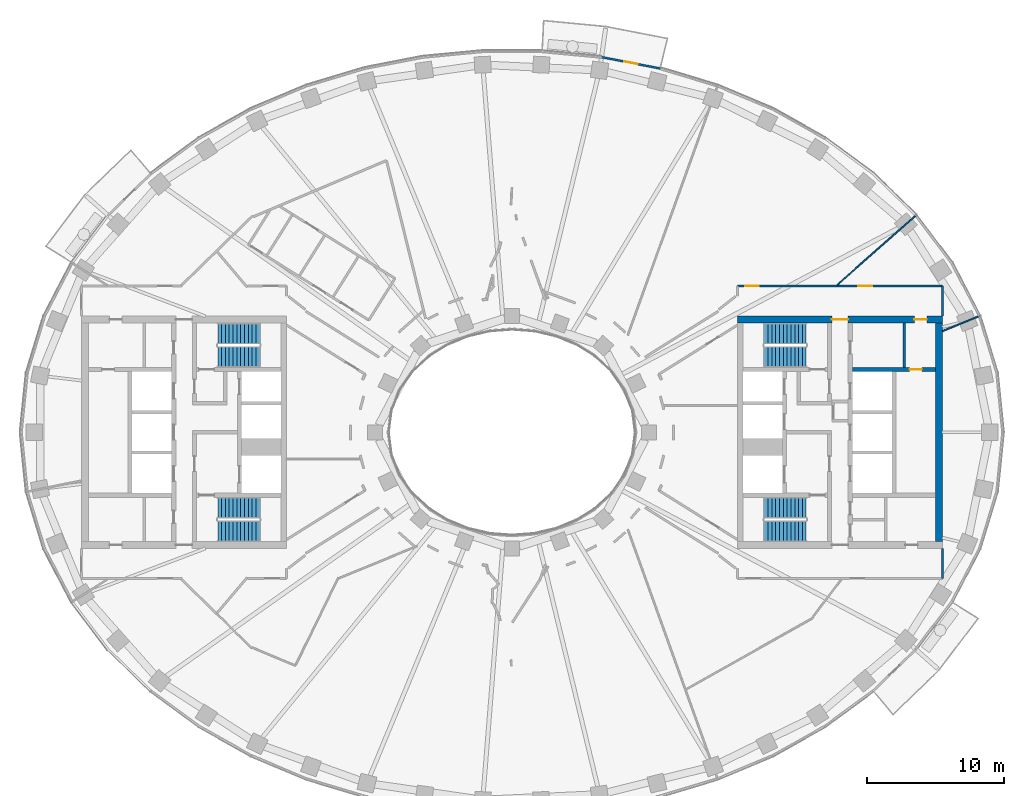
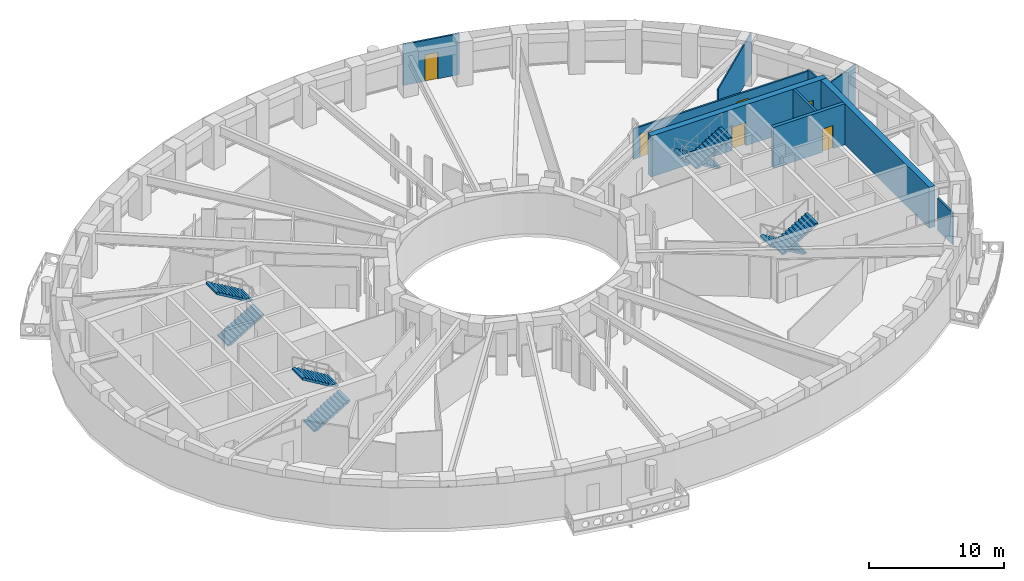
# One storey, part 7 of 16: 10 walls, 8 stair flights, 6 doors, 6 openings, 4 elements without a shape of their own.
"""IFC4 building model written with IfcOpenShell, lengths in metres."""

from ifc_helpers import new_model, si_unit, direction, frame, frame_2d, origin, place, context, subcontext, project, spatial, polyline, rectangle, outline, extrude, material, layer, layer_set, type_object, element, fill, aggregate, save


model = new_model("IFC4")

# Units and contexts
model_context = context("Model", 3, precision=1e-05, world=origin(), true_north=direction((0.0, 1.0)))
body_context = subcontext(model_context, "Body", "Model", "MODEL_VIEW")
ifc_project = project(units=[si_unit("LENGTHUNIT", "METRE"), si_unit("AREAUNIT", "SQUARE_METRE"), si_unit("VOLUMEUNIT", "CUBIC_METRE"), si_unit("PLANEANGLEUNIT", "RADIAN"), si_unit("MASSUNIT", "GRAM", prefix="KILO")], contexts=[model_context])

# Site, building, storey
site_placement = place(None, origin())
site = spatial("IfcSite", under=ifc_project, at=site_placement, CompositionType="ELEMENT")
building_placement = place(site_placement, origin())
building = spatial("IfcBuilding", under=site, at=building_placement, Name="Noorbagh Ring Tower", CompositionType="ELEMENT")
storey_placement = place(building_placement, frame((0.0, 0.0, 154.0)))
storey = spatial("IfcBuildingStorey", under=building, at=storey_placement, Name="L35", CompositionType="ELEMENT", Elevation=154.0)

# Wall
ifc_material_1 = material(Name="Gypsum board on steel studs", Category="steel")
ifc_layer_1 = layer(ifc_material_1, 0.199951171875)
ifc_layer_set_1 = layer_set([ifc_layer_1], Name="Gypsum board on steel studs")
wall_type_1 = type_object("IfcWallType", Name="CORE-PARTITION-200", PredefinedType="PARTITIONING", material=ifc_layer_set_1)
wall_1_placement = place(storey_placement, frame((28.699951171875, 4.75, 0.0), z_axis=(0.0, 0.0, 1.0), x_axis=(0.0, 1.0, 0.0)))
element("IfcWall", 1, at=wall_1_placement, inside=storey, type_object=wall_type_1, Name="Core partition E", PredefinedType="PARTITIONING", context=body_context, shape_type="SweptSolid", body=[
    extrude(rectangle(XDim=3.25, YDim=0.199951171875, at=frame_2d((1.625, 0.0))), origin(), (0.0, 0.0, 1.0), 3.699951171875),
])

# Wall, opening, door
ifc_material_2 = material(Name="Concrete C60/75", Category="concrete")
ifc_layer_2 = layer(ifc_material_2, 0.300048828125)
ifc_layer_set_2 = layer_set([ifc_layer_2], Name="Concrete C60/75")
wall_type_2 = type_object("IfcWallType", Name="CORE-WALL-300-C60-75-EI240", PredefinedType="SHEAR", material=ifc_layer_set_2)
wall_2_placement = place(storey_placement, frame((24.89990234375, 4.60009765625, 0.0), z_axis=(0.0, 0.0, 1.0), x_axis=(1.0, 0.0, 0.0)))
wall_2 = element("IfcWall", 2, at=wall_2_placement, inside=storey, type_object=wall_type_2, Name="Core wall E", PredefinedType="SHEAR", context=body_context, shape_type="SweptSolid", body=[
    extrude(rectangle(XDim=6.10009765625, YDim=0.300048828125, at=frame_2d((3.050048828125, 0.0))), origin(), (0.0, 0.0, 1.0), 3.699951171875),
])
opening_1_placement = place(wall_2_placement, frame((4.199951171875, 0.0, 0.0)))
opening_1 = element("IfcOpeningElement", 3, at=opening_1_placement, cuts=wall_2, Name="Opening L35-CE19", PredefinedType="OPENING", context=body_context, shape_type="SweptSolid", body=[
    extrude(rectangle(XDim=0.89990234375, YDim=2.10009765625, at=frame_2d((0.449951171875, 1.050048828125))), frame((0.0, 0.16015625, 0.0), z_axis=(0.0, -1.0, 0.0), x_axis=(1.0, 0.0, 0.0)), (0.0, 0.0, 1.0), 0.320068359375),
])
ifc_material_3 = material(Name="Steel door leaf", Category="steel")
door_type_1 = type_object("IfcDoorType", Name="CORE-DOOR-DROOM", OperationType="SINGLE_SWING_LEFT", PredefinedType="DOOR", material=ifc_material_3)
door_1_placement = place(opening_1_placement, origin())
door_1 = element("IfcDoor", 4, at=door_1_placement, inside=storey, type_object=door_type_1, Name="Core room door L35-CE19", OperationType="SINGLE_SWING_RIGHT", OverallHeight=2.10009765625, OverallWidth=0.89990234375, PredefinedType="DOOR", context=body_context, shape_type="SweptSolid", body=[
    extrude(rectangle(XDim=0.89990234375, YDim=2.10009765625, at=frame_2d((0.449951171875, 1.050048828125))), frame((0.0, 0.02490234375, 0.0), z_axis=(0.0, -1.0, 0.0), x_axis=(1.0, 0.0, 0.0)), (0.0, 0.0, 1.0), 0.050048828125),
])
fill(opening_1, door_1)

# Wall, openings, doors
ifc_material_4 = material(Name="Concrete C60/75", Category="concrete")
ifc_layer_3 = layer(ifc_material_4, 0.5)
ifc_layer_set_3 = layer_set([ifc_layer_3], Name="Concrete C60/75")
wall_type_3 = type_object("IfcWallType", Name="CORE-WALL-500-C60-75-EI240", PredefinedType="SHEAR", material=ifc_layer_set_3)
wall_3_placement = place(storey_placement, frame((16.5, 8.25, 0.0), z_axis=(0.0, 0.0, 1.0), x_axis=(1.0, 0.0, 0.0)))
wall_3 = element("IfcWall", 5, at=wall_3_placement, inside=storey, type_object=wall_type_3, Name="Core wall E", PredefinedType="SHEAR", context=body_context, shape_type="SweptSolid", body=[
    extrude(rectangle(XDim=15.0, YDim=0.5, at=frame_2d((7.5, 0.0))), origin(), (0.0, 0.0, 1.0), 3.699951171875),
])
opening_2_placement = place(wall_3_placement, frame((6.89990234375, 0.0, 0.0)))
opening_2 = element("IfcOpeningElement", 6, at=opening_2_placement, cuts=wall_3, Name="Opening L35-CE11", PredefinedType="OPENING", context=body_context, shape_type="SweptSolid", body=[
    extrude(rectangle(XDim=1.199951171875, YDim=2.10009765625, at=frame_2d((0.60009765625, 1.050048828125))), frame((0.0, 0.260009765625, 0.0), z_axis=(0.0, -1.0, 0.0), x_axis=(1.0, 0.0, 0.0)), (0.0, 0.0, 1.0), 0.52001953125),
])
opening_3_placement = place(wall_3_placement, frame((12.949951171875, 0.0, 0.0)))
opening_3 = element("IfcOpeningElement", 7, at=opening_3_placement, cuts=wall_3, Name="Opening L35-CE14", PredefinedType="OPENING", context=body_context, shape_type="SweptSolid", body=[
    extrude(rectangle(XDim=0.89990234375, YDim=2.10009765625, at=frame_2d((0.449951171875, 1.050048828125))), frame((0.0, 0.260009765625, 0.0), z_axis=(0.0, -1.0, 0.0), x_axis=(1.0, 0.0, 0.0)), (0.0, 0.0, 1.0), 0.52001953125),
])
door_2_placement = place(opening_3_placement, origin())
door_2 = element("IfcDoor", 8, at=door_2_placement, inside=storey, type_object=door_type_1, Name="Core room door L35-CE14", OperationType="SINGLE_SWING_LEFT", OverallHeight=2.10009765625, OverallWidth=0.89990234375, PredefinedType="DOOR", context=body_context, shape_type="SweptSolid", body=[
    extrude(rectangle(XDim=0.89990234375, YDim=2.10009765625, at=frame_2d((0.449951171875, 1.050048828125))), frame((0.0, 0.02490234375, 0.0), z_axis=(0.0, -1.0, 0.0), x_axis=(1.0, 0.0, 0.0)), (0.0, 0.0, 1.0), 0.050048828125),
])
fill(opening_3, door_2)
ifc_material_5 = material(Name="Steel door leaf", Category="steel")
door_type_2 = type_object("IfcDoorType", Name="CORE-DOOR-PORT", OperationType="DOUBLE_DOOR_DOUBLE_SWING", PredefinedType="DOOR", material=ifc_material_5)
door_3_placement = place(opening_2_placement, origin())
door_3 = element("IfcDoor", 9, at=door_3_placement, inside=storey, type_object=door_type_2, Name="Core entrance door L35-CE11", OperationType="DOUBLE_DOOR_DOUBLE_SWING", OverallHeight=2.10009765625, OverallWidth=1.199951171875, PredefinedType="DOOR", context=body_context, shape_type="SweptSolid", body=[
    extrude(rectangle(XDim=1.199951171875, YDim=2.10009765625, at=frame_2d((0.60009765625, 1.050048828125))), frame((0.0, 0.02490234375, 0.0), z_axis=(0.0, -1.0, 0.0), x_axis=(1.0, 0.0, 0.0)), (0.0, 0.0, 1.0), 0.050048828125),
])
fill(opening_2, door_3)

# Wall
wall_4_placement = place(storey_placement, frame((31.25, -8.0, 0.0), z_axis=(0.0, 0.0, 1.0), x_axis=(0.0, 1.0, 0.0)))
element("IfcWall", 10, at=wall_4_placement, inside=storey, type_object=wall_type_3, Name="Core wall E", PredefinedType="SHEAR", context=body_context, shape_type="SweptSolid", body=[
    extrude(rectangle(XDim=16.0, YDim=0.5, at=frame_2d((8.0, 0.0))), origin(), (0.0, 0.0, 1.0), 3.699951171875),
])

# Wall, openings, doors
ifc_material_6 = material(Name="Gypsum board on steel studs", Category="steel")
ifc_layer_4 = layer(ifc_material_6, 0.14990234375)
ifc_layer_set_4 = layer_set([ifc_layer_4], Name="Gypsum board on steel studs")
wall_type_4 = type_object("IfcWallType", Name="CORRIDOR PARTITION 150 EI 30", PredefinedType="PARTITIONING", material=ifc_layer_set_4)
wall_5_placement = place(storey_placement, frame((16.5, 10.699951171875, 0.0), z_axis=(0.0, 0.0, 1.0), x_axis=(1.0, 0.0, 0.0)))
wall_5 = element("IfcWall", 11, at=wall_5_placement, inside=storey, type_object=wall_type_4, Name="L35/wall/P98", PredefinedType="PARTITIONING", context=body_context, shape_type="SweptSolid", body=[
    extrude(rectangle(XDim=15.0, YDim=0.14990234375, at=frame_2d((7.5, 0.0))), origin(), (0.0, 0.0, 1.0), 2.75),
])
opening_4_placement = place(wall_5_placement, frame((0.552001953125, 0.0, 0.0)))
opening_4 = element("IfcOpeningElement", 12, at=opening_4_placement, cuts=wall_5, Name="Opening D1", PredefinedType="OPENING", context=body_context, shape_type="SweptSolid", body=[
    extrude(rectangle(XDim=1.0, YDim=2.10009765625, at=frame_2d((0.5, 1.050048828125))), frame((0.0, 0.0849609375, 0.0), z_axis=(0.0, -1.0, 0.0), x_axis=(1.0, 0.0, 0.0)), (0.0, 0.0, 1.0), 0.169921875),
])
opening_5_placement = place(wall_5_placement, frame((8.85009765625, 0.0, 0.0)))
opening_5 = element("IfcOpeningElement", 13, at=opening_5_placement, cuts=wall_5, Name="Opening D1", PredefinedType="OPENING", context=body_context, shape_type="SweptSolid", body=[
    extrude(rectangle(XDim=1.0, YDim=2.10009765625, at=frame_2d((0.5, 1.050048828125))), frame((0.0, 0.0849609375, 0.0), z_axis=(0.0, -1.0, 0.0), x_axis=(1.0, 0.0, 0.0)), (0.0, 0.0, 1.0), 0.169921875),
])
ifc_material_7 = material(Name="Timber, painted", Category="wood")
door_type_3 = type_object("IfcDoorType", Name="DOOR 1000 X 2100 FD30", OperationType="SINGLE_SWING_LEFT", PredefinedType="DOOR", material=ifc_material_7)
door_4_placement = place(opening_4_placement, origin())
door_4 = element("IfcDoor", 14, at=door_4_placement, inside=storey, type_object=door_type_3, Name="L35-D12", OperationType="SINGLE_SWING_RIGHT", OverallHeight=2.10009765625, OverallWidth=1.0, PredefinedType="DOOR", context=body_context, shape_type="SweptSolid", body=[
    extrude(rectangle(XDim=1.0, YDim=2.10009765625, at=frame_2d((0.5, 1.050048828125))), frame((0.0, 0.02490234375, 0.0), z_axis=(0.0, -1.0, 0.0), x_axis=(1.0, 0.0, 0.0)), (0.0, 0.0, 1.0), 0.050048828125),
])
fill(opening_4, door_4)
door_5_placement = place(opening_5_placement, origin())
door_5 = element("IfcDoor", 15, at=door_5_placement, inside=storey, type_object=door_type_3, Name="L35-D14", OperationType="SINGLE_SWING_RIGHT", OverallHeight=2.10009765625, OverallWidth=1.0, PredefinedType="DOOR", context=body_context, shape_type="SweptSolid", body=[
    extrude(rectangle(XDim=1.0, YDim=2.10009765625, at=frame_2d((0.5, 1.050048828125))), frame((0.0, 0.02490234375, 0.0), z_axis=(0.0, -1.0, 0.0), x_axis=(1.0, 0.0, 0.0)), (0.0, 0.0, 1.0), 0.050048828125),
])
fill(opening_5, door_5)

# Walls
for number, where, z_axis, x_axis, name in (
    (16, (31.5, -10.699951171875, 0.0), (0.0, 0.0, 1.0), (0.0, 1.0, 0.0), "L35/wall/P101"),
    (17, (31.5, 8.5, 0.0), (0.0, 0.0, 1.0), (0.0, 1.0, 0.0), "L35/wall/P103"),
):
    element("IfcWall", number, at=place(storey_placement, frame(where, z_axis=z_axis, x_axis=x_axis)), inside=storey, type_object=wall_type_4, Name=name, PredefinedType="PARTITIONING", context=body_context, shape_type="SweptSolid", body=[
        extrude(rectangle(XDim=2.199951171875, YDim=0.14990234375, at=frame_2d((1.10009765625, 0.0))), origin(), (0.0, 0.0, 1.0), 2.89990234375),
    ])

# Wall, opening, door
ifc_material_8 = material(Name="Insulated aluminium clad panel", Category="aluminium")
ifc_layer_5 = layer(ifc_material_8, 0.14990234375)
ifc_layer_set_5 = layer_set([ifc_layer_5], Name="Insulated aluminium clad panel")
wall_type_5 = type_object("IfcWallType", Name="ENV-WALL-DOOR", PredefinedType="STANDARD", material=ifc_layer_set_5)
wall_6_placement = place(storey_placement, frame((10.87060546875, 26.616943359375, 0.0), z_axis=(0.0, 0.0, 1.0), x_axis=(-0.981631174778, 0.190788460615, 0.0)))
wall_6 = element("IfcWall", 18, at=wall_6_placement, inside=storey, type_object=wall_type_5, Name="Balcony door wall chord 10", PredefinedType="STANDARD", context=body_context, shape_type="SweptSolid", body=[
    extrude(rectangle(XDim=4.42626953125, YDim=0.14990234375, at=frame_2d((2.213134765625, 0.0))), origin(), (0.0, 0.0, 1.0), 3.699951171875),
])
opening_6_placement = place(wall_6_placement, frame((1.713134765625, 0.0, 0.0)))
opening_6 = element("IfcOpeningElement", 19, at=opening_6_placement, cuts=wall_6, Name="Opening D-BL", PredefinedType="OPENING", context=body_context, shape_type="SweptSolid", body=[
    extrude(rectangle(XDim=1.0, YDim=2.39990234375, at=frame_2d((0.5, 1.199951171875))), frame((0.0, 0.0849609375, 0.0), z_axis=(0.0, -1.0, 0.0), x_axis=(1.0, 0.0, 0.0)), (0.0, 0.0, 1.0), 0.169921875),
])
ifc_material_9 = material(Name="Aluminium and glass", Category="aluminium")
door_type_4 = type_object("IfcDoorType", Name="ENV-DOOR-BALCONY", OperationType="SINGLE_SWING_LEFT", PredefinedType="DOOR", material=ifc_material_9)
door_6_placement = place(opening_6_placement, origin())
door_6 = element("IfcDoor", 20, at=door_6_placement, inside=storey, type_object=door_type_4, Name="Balcony door chord 10", OperationType="SINGLE_SWING_RIGHT", OverallHeight=2.39990234375, OverallWidth=1.0, PredefinedType="DOOR", context=body_context, shape_type="SweptSolid", body=[
    extrude(rectangle(XDim=1.0, YDim=2.39990234375, at=frame_2d((0.5, 1.199951171875))), frame((0.0, 0.02490234375, 0.0), z_axis=(0.0, -1.0, 0.0), x_axis=(1.0, 0.0, 0.0)), (0.0, 0.0, 1.0), 0.050048828125),
])
fill(opening_6, door_6)

# Walls
ifc_material_10 = material(Name="Gypsum board on steel studs", Category="steel")
ifc_layer_6 = layer(ifc_material_10, 0.10009765625)
ifc_layer_set_6 = layer_set([ifc_layer_6], Name="Gypsum board on steel studs")
wall_type_6 = type_object("IfcWallType", Name="PARTITION 100 GYPSUM", PredefinedType="PARTITIONING", material=ifc_layer_set_6)
wall_7_placement = place(storey_placement, frame((23.784912109375, 10.778076171875, 0.0), z_axis=(0.0, 0.0, 1.0), x_axis=(0.748985701008, 0.662586160198, 0.0)))
element("IfcWall", 21, at=wall_7_placement, inside=storey, type_object=wall_type_6, Name="L35/wall/P100", PredefinedType="PARTITIONING", context=body_context, shape_type="SweptSolid", body=[
    extrude(rectangle(XDim=7.72265625, YDim=0.10009765625, at=frame_2d((3.861328125, 0.0))), origin(), (0.0, 0.0, 1.0), 3.699951171875),
])
wall_8_placement = place(storey_placement, frame((31.5, 7.409912109375, 0.0), z_axis=(0.0, 0.0, 1.0), x_axis=(0.925344112436, 0.379128307542, 0.0)))
element("IfcWall", 22, at=wall_8_placement, inside=storey, type_object=wall_type_6, Name="L35/wall/P102", PredefinedType="PARTITIONING", context=body_context, shape_type="SweptSolid", body=[
    extrude(rectangle(XDim=2.954345703125, YDim=0.10009765625, at=frame_2d((1.47705078125, 0.0))), origin(), (0.0, 0.0, 1.0), 3.699951171875),
])

# Stair, stair flights
ifc_material_11 = material(Name="Concrete C40/50", Category="concrete")
stair_type = type_object("IfcStairType", Name="CORE-STAIR", PredefinedType="HALF_TURN_STAIR", material=ifc_material_11)
stair_1_placement = place(storey_placement, origin())
stair_1 = element("IfcStair", 23, at=stair_1_placement, inside=storey, type_object=stair_type, Name="L35 Exit stair ST1", PredefinedType="HALF_TURN_STAIR")
ifc_material_12 = material(Name="Concrete C40/50", Category="concrete")
stair_flight_type = type_object("IfcStairFlightType", Name="CORE-STAIR-FLIGHT", PredefinedType="STRAIGHT", material=ifc_material_12)
stair_flight_1_placement = place(storey_placement, frame((-21.530029296875, 5.52490234375, 0.0), z_axis=(0.0, 0.0, 1.0), x_axis=(1.0, 0.0, 0.0)))
stair_flight_1 = element("IfcStairFlight", 24, at=stair_flight_1_placement, type_object=stair_flight_type, Name="ST1 flight 1", NumberOfRisers=12, NumberOfTreads=11, PredefinedType="STRAIGHT", RiserHeight=0.166666667, TreadLength=0.28, context=body_context, shape_type="SweptSolid", body=[
    extrude(outline(polyline([(0.0, 0.0), (0.0, 0.166748046875), (0.280029296875, 0.166748046875), (0.280029296875, 0.333251953125), (0.56005859375, 0.333251953125), (0.56005859375, 0.5), (0.840087890625, 0.5), (0.840087890625, 0.666748046875), (1.1201171875, 0.666748046875), (1.1201171875, 0.833251953125), (1.39990234375, 0.833251953125), (1.39990234375, 1.0), (1.679931640625, 1.0), (1.679931640625, 1.166748046875), (1.9599609375, 1.166748046875), (1.9599609375, 1.333251953125), (2.239990234375, 1.333251953125), (2.239990234375, 1.5), (2.52001953125, 1.5), (2.52001953125, 1.666748046875), (2.800048828125, 1.666748046875), (2.800048828125, 1.833251953125), (3.080078125, 1.833251953125), (3.080078125, 2.0), (3.080078125, 1.658935546875), (0.29296875, 0.0), (0.0, 0.0)])), frame((0.0, 0.77490234375, 0.0), z_axis=(0.0, -1.0, 0.0), x_axis=(1.0, 0.0, 0.0)), (0.0, 0.0, 1.0), 1.550048828125),
])
stair_flight_2_placement = place(storey_placement, frame((-18.449951171875, 7.22509765625, 2.0), z_axis=(0.0, 0.0, 1.0), x_axis=(-1.0, 0.0, 0.0)))
stair_flight_2 = element("IfcStairFlight", 25, at=stair_flight_2_placement, type_object=stair_flight_type, Name="ST1 flight 2", NumberOfRisers=12, NumberOfTreads=11, PredefinedType="STRAIGHT", RiserHeight=0.166666667, TreadLength=0.28, context=body_context, shape_type="SweptSolid", body=[
    extrude(outline(polyline([(0.0, 0.0), (0.0, 0.166748046875), (0.280029296875, 0.166748046875), (0.280029296875, 0.333251953125), (0.56005859375, 0.333251953125), (0.56005859375, 0.5), (0.840087890625, 0.5), (0.840087890625, 0.666748046875), (1.1201171875, 0.666748046875), (1.1201171875, 0.833251953125), (1.39990234375, 0.833251953125), (1.39990234375, 1.0), (1.679931640625, 1.0), (1.679931640625, 1.166748046875), (1.9599609375, 1.166748046875), (1.9599609375, 1.333251953125), (2.239990234375, 1.333251953125), (2.239990234375, 1.5), (2.52001953125, 1.5), (2.52001953125, 1.666748046875), (2.800048828125, 1.666748046875), (2.800048828125, 1.833251953125), (3.080078125, 1.833251953125), (3.080078125, 2.0), (3.080078125, 1.658935546875), (0.29296875, 0.0), (0.0, 0.0)])), frame((0.0, 0.77490234375, 0.0), z_axis=(0.0, -1.0, 0.0), x_axis=(1.0, 0.0, 0.0)), (0.0, 0.0, 1.0), 1.550048828125),
])
aggregate(stair_1, [stair_flight_1, stair_flight_2])

stair_2_placement = place(storey_placement, origin())
stair_2 = element("IfcStair", 26, at=stair_2_placement, inside=storey, type_object=stair_type, Name="L35 Exit stair ST2", PredefinedType="HALF_TURN_STAIR")
stair_flight_3_placement = place(storey_placement, frame((-21.530029296875, -7.22509765625, 0.0), z_axis=(0.0, 0.0, 1.0), x_axis=(1.0, 0.0, 0.0)))
stair_flight_3 = element("IfcStairFlight", 27, at=stair_flight_3_placement, type_object=stair_flight_type, Name="ST2 flight 1", NumberOfRisers=12, NumberOfTreads=11, PredefinedType="STRAIGHT", RiserHeight=0.166666667, TreadLength=0.28, context=body_context, shape_type="SweptSolid", body=[
    extrude(outline(polyline([(0.0, 0.0), (0.0, 0.166748046875), (0.280029296875, 0.166748046875), (0.280029296875, 0.333251953125), (0.56005859375, 0.333251953125), (0.56005859375, 0.5), (0.840087890625, 0.5), (0.840087890625, 0.666748046875), (1.1201171875, 0.666748046875), (1.1201171875, 0.833251953125), (1.39990234375, 0.833251953125), (1.39990234375, 1.0), (1.679931640625, 1.0), (1.679931640625, 1.166748046875), (1.9599609375, 1.166748046875), (1.9599609375, 1.333251953125), (2.239990234375, 1.333251953125), (2.239990234375, 1.5), (2.52001953125, 1.5), (2.52001953125, 1.666748046875), (2.800048828125, 1.666748046875), (2.800048828125, 1.833251953125), (3.080078125, 1.833251953125), (3.080078125, 2.0), (3.080078125, 1.658935546875), (0.29296875, 0.0), (0.0, 0.0)])), frame((0.0, 0.77490234375, 0.0), z_axis=(0.0, -1.0, 0.0), x_axis=(1.0, 0.0, 0.0)), (0.0, 0.0, 1.0), 1.550048828125),
])
stair_flight_4_placement = place(storey_placement, frame((-18.449951171875, -5.52490234375, 2.0), z_axis=(0.0, 0.0, 1.0), x_axis=(-1.0, 0.0, 0.0)))
stair_flight_4 = element("IfcStairFlight", 28, at=stair_flight_4_placement, type_object=stair_flight_type, Name="ST2 flight 2", NumberOfRisers=12, NumberOfTreads=11, PredefinedType="STRAIGHT", RiserHeight=0.166666667, TreadLength=0.28, context=body_context, shape_type="SweptSolid", body=[
    extrude(outline(polyline([(0.0, 0.0), (0.0, 0.166748046875), (0.280029296875, 0.166748046875), (0.280029296875, 0.333251953125), (0.56005859375, 0.333251953125), (0.56005859375, 0.5), (0.840087890625, 0.5), (0.840087890625, 0.666748046875), (1.1201171875, 0.666748046875), (1.1201171875, 0.833251953125), (1.39990234375, 0.833251953125), (1.39990234375, 1.0), (1.679931640625, 1.0), (1.679931640625, 1.166748046875), (1.9599609375, 1.166748046875), (1.9599609375, 1.333251953125), (2.239990234375, 1.333251953125), (2.239990234375, 1.5), (2.52001953125, 1.5), (2.52001953125, 1.666748046875), (2.800048828125, 1.666748046875), (2.800048828125, 1.833251953125), (3.080078125, 1.833251953125), (3.080078125, 2.0), (3.080078125, 1.658935546875), (0.29296875, 0.0), (0.0, 0.0)])), frame((0.0, 0.77490234375, 0.0), z_axis=(0.0, -1.0, 0.0), x_axis=(1.0, 0.0, 0.0)), (0.0, 0.0, 1.0), 1.550048828125),
])
aggregate(stair_2, [stair_flight_3, stair_flight_4])

stair_3_placement = place(storey_placement, origin())
stair_3 = element("IfcStair", 29, at=stair_3_placement, inside=storey, type_object=stair_type, Name="L35 Exit stair ST3", PredefinedType="HALF_TURN_STAIR")
stair_flight_5_placement = place(storey_placement, frame((21.530029296875, 7.22509765625, 0.0), z_axis=(0.0, 0.0, 1.0), x_axis=(-1.0, 0.0, 0.0)))
stair_flight_5 = element("IfcStairFlight", 30, at=stair_flight_5_placement, type_object=stair_flight_type, Name="ST3 flight 1", NumberOfRisers=12, NumberOfTreads=11, PredefinedType="STRAIGHT", RiserHeight=0.166666667, TreadLength=0.28, context=body_context, shape_type="SweptSolid", body=[
    extrude(outline(polyline([(0.0, 0.0), (0.0, 0.166748046875), (0.280029296875, 0.166748046875), (0.280029296875, 0.333251953125), (0.56005859375, 0.333251953125), (0.56005859375, 0.5), (0.840087890625, 0.5), (0.840087890625, 0.666748046875), (1.1201171875, 0.666748046875), (1.1201171875, 0.833251953125), (1.39990234375, 0.833251953125), (1.39990234375, 1.0), (1.679931640625, 1.0), (1.679931640625, 1.166748046875), (1.9599609375, 1.166748046875), (1.9599609375, 1.333251953125), (2.239990234375, 1.333251953125), (2.239990234375, 1.5), (2.52001953125, 1.5), (2.52001953125, 1.666748046875), (2.800048828125, 1.666748046875), (2.800048828125, 1.833251953125), (3.080078125, 1.833251953125), (3.080078125, 2.0), (3.080078125, 1.658935546875), (0.29296875, 0.0), (0.0, 0.0)])), frame((0.0, 0.77490234375, 0.0), z_axis=(0.0, -1.0, 0.0), x_axis=(1.0, 0.0, 0.0)), (0.0, 0.0, 1.0), 1.550048828125),
])
stair_flight_6_placement = place(storey_placement, frame((18.449951171875, 5.52490234375, 2.0), z_axis=(0.0, 0.0, 1.0), x_axis=(1.0, 0.0, 0.0)))
stair_flight_6 = element("IfcStairFlight", 31, at=stair_flight_6_placement, type_object=stair_flight_type, Name="ST3 flight 2", NumberOfRisers=12, NumberOfTreads=11, PredefinedType="STRAIGHT", RiserHeight=0.166666667, TreadLength=0.28, context=body_context, shape_type="SweptSolid", body=[
    extrude(outline(polyline([(0.0, 0.0), (0.0, 0.166748046875), (0.280029296875, 0.166748046875), (0.280029296875, 0.333251953125), (0.56005859375, 0.333251953125), (0.56005859375, 0.5), (0.840087890625, 0.5), (0.840087890625, 0.666748046875), (1.1201171875, 0.666748046875), (1.1201171875, 0.833251953125), (1.39990234375, 0.833251953125), (1.39990234375, 1.0), (1.679931640625, 1.0), (1.679931640625, 1.166748046875), (1.9599609375, 1.166748046875), (1.9599609375, 1.333251953125), (2.239990234375, 1.333251953125), (2.239990234375, 1.5), (2.52001953125, 1.5), (2.52001953125, 1.666748046875), (2.800048828125, 1.666748046875), (2.800048828125, 1.833251953125), (3.080078125, 1.833251953125), (3.080078125, 2.0), (3.080078125, 1.658935546875), (0.29296875, 0.0), (0.0, 0.0)])), frame((0.0, 0.77490234375, 0.0), z_axis=(0.0, -1.0, 0.0), x_axis=(1.0, 0.0, 0.0)), (0.0, 0.0, 1.0), 1.550048828125),
])
aggregate(stair_3, [stair_flight_5, stair_flight_6])

stair_4_placement = place(storey_placement, origin())
stair_4 = element("IfcStair", 32, at=stair_4_placement, inside=storey, type_object=stair_type, Name="L35 Exit stair ST4", PredefinedType="HALF_TURN_STAIR")
stair_flight_7_placement = place(storey_placement, frame((21.530029296875, -5.52490234375, 0.0), z_axis=(0.0, 0.0, 1.0), x_axis=(-1.0, 0.0, 0.0)))
stair_flight_7 = element("IfcStairFlight", 33, at=stair_flight_7_placement, type_object=stair_flight_type, Name="ST4 flight 1", NumberOfRisers=12, NumberOfTreads=11, PredefinedType="STRAIGHT", RiserHeight=0.166666667, TreadLength=0.28, context=body_context, shape_type="SweptSolid", body=[
    extrude(outline(polyline([(0.0, 0.0), (0.0, 0.166748046875), (0.280029296875, 0.166748046875), (0.280029296875, 0.333251953125), (0.56005859375, 0.333251953125), (0.56005859375, 0.5), (0.840087890625, 0.5), (0.840087890625, 0.666748046875), (1.1201171875, 0.666748046875), (1.1201171875, 0.833251953125), (1.39990234375, 0.833251953125), (1.39990234375, 1.0), (1.679931640625, 1.0), (1.679931640625, 1.166748046875), (1.9599609375, 1.166748046875), (1.9599609375, 1.333251953125), (2.239990234375, 1.333251953125), (2.239990234375, 1.5), (2.52001953125, 1.5), (2.52001953125, 1.666748046875), (2.800048828125, 1.666748046875), (2.800048828125, 1.833251953125), (3.080078125, 1.833251953125), (3.080078125, 2.0), (3.080078125, 1.658935546875), (0.29296875, 0.0), (0.0, 0.0)])), frame((0.0, 0.77490234375, 0.0), z_axis=(0.0, -1.0, 0.0), x_axis=(1.0, 0.0, 0.0)), (0.0, 0.0, 1.0), 1.550048828125),
])
stair_flight_8_placement = place(storey_placement, frame((18.449951171875, -7.22509765625, 2.0), z_axis=(0.0, 0.0, 1.0), x_axis=(1.0, 0.0, 0.0)))
stair_flight_8 = element("IfcStairFlight", 34, at=stair_flight_8_placement, type_object=stair_flight_type, Name="ST4 flight 2", NumberOfRisers=12, NumberOfTreads=11, PredefinedType="STRAIGHT", RiserHeight=0.166666667, TreadLength=0.28, context=body_context, shape_type="SweptSolid", body=[
    extrude(outline(polyline([(0.0, 0.0), (0.0, 0.166748046875), (0.280029296875, 0.166748046875), (0.280029296875, 0.333251953125), (0.56005859375, 0.333251953125), (0.56005859375, 0.5), (0.840087890625, 0.5), (0.840087890625, 0.666748046875), (1.1201171875, 0.666748046875), (1.1201171875, 0.833251953125), (1.39990234375, 0.833251953125), (1.39990234375, 1.0), (1.679931640625, 1.0), (1.679931640625, 1.166748046875), (1.9599609375, 1.166748046875), (1.9599609375, 1.333251953125), (2.239990234375, 1.333251953125), (2.239990234375, 1.5), (2.52001953125, 1.5), (2.52001953125, 1.666748046875), (2.800048828125, 1.666748046875), (2.800048828125, 1.833251953125), (3.080078125, 1.833251953125), (3.080078125, 2.0), (3.080078125, 1.658935546875), (0.29296875, 0.0), (0.0, 0.0)])), frame((0.0, 0.77490234375, 0.0), z_axis=(0.0, -1.0, 0.0), x_axis=(1.0, 0.0, 0.0)), (0.0, 0.0, 1.0), 1.550048828125),
])
aggregate(stair_4, [stair_flight_7, stair_flight_8])

save(model, "model.ifc")
